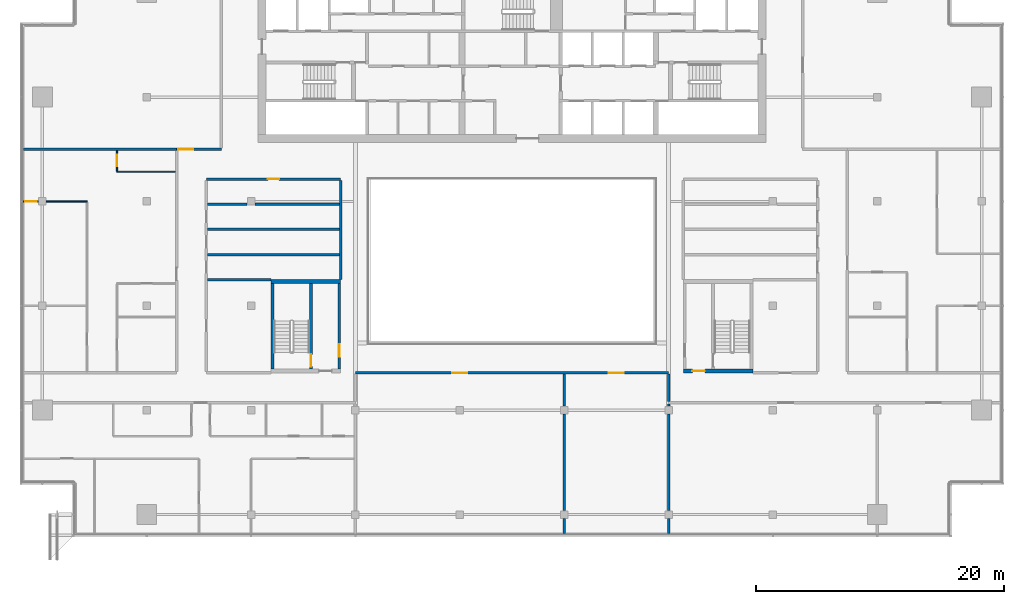
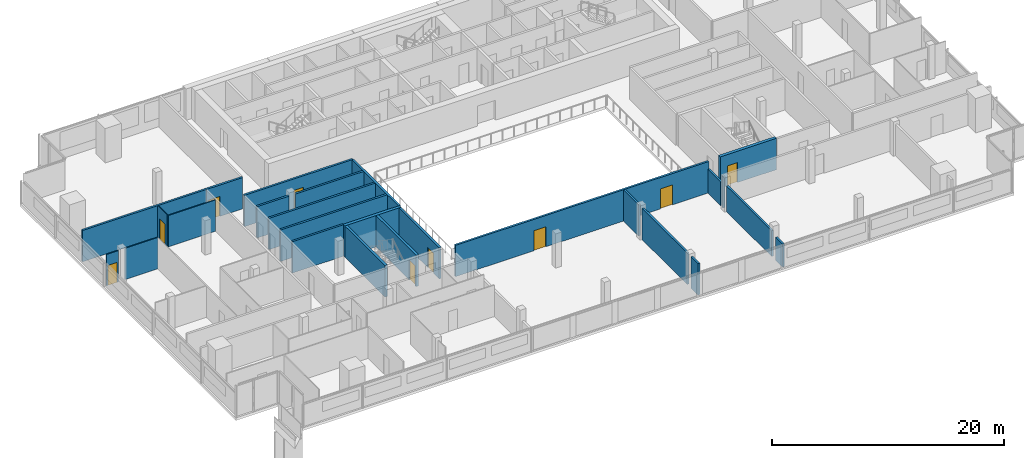
# One storey, part 18 of 25: 26 walls, 9 doors, 9 openings.
"""IFC4 building model written with IfcOpenShell, lengths in metres."""

from ifc_helpers import new_model, si_unit, direction, frame, frame_2d, origin, place, context, subcontext, project, spatial, rectangle, extrude, material, layer, layer_set, type_object, element, fill, save


model = new_model("IFC4")

# Units and contexts
model_context = context("Model", 3, precision=1e-05, world=origin(), true_north=direction((0.0, 1.0)))
body_context = subcontext(model_context, "Body", "Model", "MODEL_VIEW")
ifc_project = project(units=[si_unit("LENGTHUNIT", "METRE"), si_unit("AREAUNIT", "SQUARE_METRE"), si_unit("VOLUMEUNIT", "CUBIC_METRE"), si_unit("PLANEANGLEUNIT", "RADIAN"), si_unit("MASSUNIT", "GRAM", prefix="KILO")], contexts=[model_context])

# Site, building, storey
site_placement = place(None, origin())
site = spatial("IfcSite", under=ifc_project, at=site_placement, CompositionType="ELEMENT")
building_placement = place(site_placement, origin())
building = spatial("IfcBuilding", under=site, at=building_placement, Name="Saffron Gate Tower", CompositionType="ELEMENT")
storey_placement = place(building_placement, frame((0.0, 0.0, 248.699951171875)))
storey = spatial("IfcBuildingStorey", under=building, at=storey_placement, Name="L61", CompositionType="ELEMENT", Elevation=248.699951171875)

# Wall, opening, door
ifc_material_1 = material(Name="Gypsum board partition on steel studs", Category="steel")
ifc_layer_1 = layer(ifc_material_1, 0.199951171875)
ifc_layer_set_1 = layer_set([ifc_layer_1], Name="CW10 Core partition 200")
wall_type_1 = type_object("IfcWallType", Name="CW10 Core partition 200", PredefinedType="PARTITIONING", material=ifc_layer_set_1)
wall_1_placement = place(storey_placement, frame((73.699951171875, 43.5, 0.0), z_axis=(0.0, 0.0, 1.0), x_axis=(0.0, 1.0, 0.0)))
wall_1 = element("IfcWall", 1, at=wall_1_placement, inside=storey, type_object=wall_type_1, Name="Wall CW10-L61-D-4", PredefinedType="PARTITIONING", context=body_context, shape_type="SweptSolid", body=[
    extrude(rectangle(XDim=6.89990234375, YDim=0.199951171875, at=frame_2d((3.449951171875, 0.0))), origin(), (0.0, 0.0, 1.0), 3.300048828125),
])
opening_1_placement = place(wall_1_placement, frame((1.0, 0.0, 0.0)))
opening_1 = element("IfcOpeningElement", 2, at=opening_1_placement, cuts=wall_1, Name="Opening CR-19", PredefinedType="OPENING", context=body_context, shape_type="SweptSolid", body=[
    extrude(rectangle(XDim=1.0, YDim=2.10009765625, at=frame_2d((0.5, 1.050048828125))), frame((0.0, 0.10986328125, 0.0), z_axis=(0.0, -1.0, 0.0), x_axis=(1.0, 0.0, 0.0)), (0.0, 0.0, 1.0), 0.219970703125),
])
ifc_material_2 = material(Name="Steel fire door set", Category="steel")
door_type_1 = type_object("IfcDoorType", Name="CD4 Lobby door 1000x2100 EI 120", OperationType="NOTDEFINED", PredefinedType="DOOR", material=ifc_material_2)
door_1_placement = place(opening_1_placement, origin())
door_1 = element("IfcDoor", 3, at=door_1_placement, inside=storey, type_object=door_type_1, Name="DOOR CR-19", OperationType="SINGLE_SWING_RIGHT", OverallHeight=2.10009765625, OverallWidth=1.0, PredefinedType="DOOR", context=body_context, shape_type="SweptSolid", body=[
    extrude(rectangle(XDim=1.0, YDim=2.10009765625, at=frame_2d((0.5, 1.050048828125))), frame((0.0, 0.02490234375, 0.0), z_axis=(0.0, -1.0, 0.0), x_axis=(1.0, 0.0, 0.0)), (0.0, 0.0, 1.0), 0.050048828125),
])
fill(opening_1, door_1)

# Wall
ifc_material_3 = material(Name="Concrete C60", Category="concrete")
ifc_layer_2 = layer(ifc_material_3, 0.25)
ifc_layer_set_2 = layer_set([ifc_layer_2], Name="CW14 RC core wall 250 C60")
wall_type_2 = type_object("IfcWallType", Name="CW14 RC core wall 250 C60", PredefinedType="SOLIDWALL", material=ifc_layer_set_2)
wall_2_placement = place(storey_placement, frame((68.324951171875, 43.5, 0.0), z_axis=(0.0, 0.0, 1.0), x_axis=(0.0, 1.0, 0.0)))
element("IfcWall", 4, at=wall_2_placement, inside=storey, type_object=wall_type_2, Name="Wall CW14-L61-D-2", PredefinedType="SOLIDWALL", context=body_context, shape_type="SweptSolid", body=[
    extrude(rectangle(XDim=6.89990234375, YDim=0.25, at=frame_2d((3.449951171875, 0.0))), origin(), (0.0, 0.0, 1.0), 3.300048828125),
])

# Wall, opening, door
wall_3_placement = place(storey_placement, frame((71.425048828125, 43.5, 0.0), z_axis=(0.0, 0.0, 1.0), x_axis=(0.0, 1.0, 0.0)))
wall_3 = element("IfcWall", 5, at=wall_3_placement, inside=storey, type_object=wall_type_2, Name="Wall CW14-L61-D-3", PredefinedType="SOLIDWALL", context=body_context, shape_type="SweptSolid", body=[
    extrude(rectangle(XDim=6.89990234375, YDim=0.25, at=frame_2d((3.449951171875, 0.0))), origin(), (0.0, 0.0, 1.0), 3.300048828125),
])
opening_2_placement = place(wall_3_placement, frame((0.199951171875, 0.0, 0.0)))
opening_2 = element("IfcOpeningElement", 6, at=opening_2_placement, cuts=wall_3, Name="Opening CR-20", PredefinedType="OPENING", context=body_context, shape_type="SweptSolid", body=[
    extrude(rectangle(XDim=1.0, YDim=2.10009765625, at=frame_2d((0.5, 1.050048828125))), frame((0.0, 0.135009765625, 0.0), z_axis=(0.0, -1.0, 0.0), x_axis=(1.0, 0.0, 0.0)), (0.0, 0.0, 1.0), 0.27001953125),
])
door_type_2 = type_object("IfcDoorType", Name="CD5 Stair door 1000x2100 EI 120", OperationType="NOTDEFINED", PredefinedType="DOOR", material=ifc_material_2)
door_2_placement = place(opening_2_placement, origin())
door_2 = element("IfcDoor", 7, at=door_2_placement, inside=storey, type_object=door_type_2, Name="DOOR CR-20", OperationType="SINGLE_SWING_LEFT", OverallHeight=2.10009765625, OverallWidth=1.0, PredefinedType="DOOR", context=body_context, shape_type="SweptSolid", body=[
    extrude(rectangle(XDim=1.0, YDim=2.10009765625, at=frame_2d((0.5, 1.050048828125))), frame((0.0, 0.02490234375, 0.0), z_axis=(0.0, -1.0, 0.0), x_axis=(1.0, 0.0, 0.0)), (0.0, 0.0, 1.0), 0.050048828125),
])
fill(opening_2, door_2)

# Wall
ifc_layer_3 = layer(ifc_material_3, 0.300048828125)
ifc_layer_set_3 = layer_set([ifc_layer_3], Name="CW17 RC core wall 300 C60")
wall_type_3 = type_object("IfcWallType", Name="CW17 RC core wall 300 C60", PredefinedType="SOLIDWALL", material=ifc_layer_set_3)
wall_4_placement = place(storey_placement, frame((68.199951171875, 50.550048828125, 0.0), z_axis=(0.0, 0.0, 1.0), x_axis=(1.0, 0.0, 0.0)))
element("IfcWall", 8, at=wall_4_placement, inside=storey, type_object=wall_type_3, Name="Wall CW17-L61-D-5", PredefinedType="SOLIDWALL", context=body_context, shape_type="SweptSolid", body=[
    extrude(rectangle(XDim=5.60009765625, YDim=0.300048828125, at=frame_2d((2.800048828125, 0.0))), origin(), (0.0, 0.0, 1.0), 3.300048828125),
])

# Wall, opening, door
wall_5_placement = place(storey_placement, frame((101.39990234375, 43.35009765625, 0.0), z_axis=(0.0, 0.0, 1.0), x_axis=(1.0, 0.0, 0.0)))
wall_5 = element("IfcWall", 9, at=wall_5_placement, inside=storey, type_object=wall_type_3, Name="Wall CW17-L61-E-1", PredefinedType="SOLIDWALL", context=body_context, shape_type="SweptSolid", body=[
    extrude(rectangle(XDim=5.60009765625, YDim=0.300048828125, at=frame_2d((2.800048828125, 0.0))), origin(), (0.0, 0.0, 1.0), 3.300048828125),
])
opening_3_placement = place(wall_5_placement, frame((0.72509765625, 0.0, 0.0)))
opening_3 = element("IfcOpeningElement", 10, at=opening_3_placement, cuts=wall_5, Name="Opening CR-21", PredefinedType="OPENING", context=body_context, shape_type="SweptSolid", body=[
    extrude(rectangle(XDim=1.0, YDim=2.10009765625, at=frame_2d((0.5, 1.050048828125))), frame((0.0, 0.16015625, 0.0), z_axis=(0.0, -1.0, 0.0), x_axis=(1.0, 0.0, 0.0)), (0.0, 0.0, 1.0), 0.320068359375),
])
door_3_placement = place(opening_3_placement, origin())
door_3 = element("IfcDoor", 11, at=door_3_placement, inside=storey, type_object=door_type_1, Name="DOOR CR-21", OperationType="SINGLE_SWING_RIGHT", OverallHeight=2.10009765625, OverallWidth=1.0, PredefinedType="DOOR", context=body_context, shape_type="SweptSolid", body=[
    extrude(rectangle(XDim=1.0, YDim=2.10009765625, at=frame_2d((0.5, 1.050048828125))), frame((0.0, 0.02490234375, 0.0), z_axis=(0.0, -1.0, 0.0), x_axis=(1.0, 0.0, 0.0)), (0.0, 0.0, 1.0), 0.050048828125),
])
fill(opening_3, door_3)

ifc_material_4 = material(Name="Plasterboard on steel studs", Category="steel")
ifc_layer_4 = layer(ifc_material_4, 0.10009765625)
ifc_layer_set_4 = layer_set([ifc_layer_4], Name="PW1 Partition 100")
wall_type_4 = type_object("IfcWallType", Name="PW1 Partition 100", PredefinedType="PARTITIONING", material=ifc_layer_set_4)
wall_6_placement = place(storey_placement, frame((49.47998046875, 57.0, 0.0), z_axis=(0.0, 0.0, 1.0), x_axis=(-1.0, 0.0, 0.0)))
wall_6 = element("IfcWall", 12, at=wall_6_placement, inside=storey, type_object=wall_type_4, Name="Partition D5-33", PredefinedType="PARTITIONING", context=body_context, shape_type="SweptSolid", body=[
    extrude(rectangle(XDim=1.199951171875, YDim=0.10009765625, at=frame_2d((0.60009765625, 0.0))), origin(), (0.0, 0.0, 1.0), 3.300048828125),
])
opening_4_placement = place(wall_6_placement, frame((0.14990234375, 0.0, 0.0)))
opening_4 = element("IfcOpeningElement", 13, at=opening_4_placement, cuts=wall_6, Name="Opening D5-18", PredefinedType="OPENING", context=body_context, shape_type="SweptSolid", body=[
    extrude(rectangle(XDim=0.89990234375, YDim=2.10009765625, at=frame_2d((0.449951171875, 1.050048828125))), frame((0.0, 0.06005859375, 0.0), z_axis=(0.0, -1.0, 0.0), x_axis=(1.0, 0.0, 0.0)), (0.0, 0.0, 1.0), 0.1201171875),
])
ifc_material_5 = material(Name="Timber door set", Category="wood")
door_type_3 = type_object("IfcDoorType", Name="RD1 Room door 900x2100", OperationType="NOTDEFINED", PredefinedType="DOOR", material=ifc_material_5)
door_4_placement = place(opening_4_placement, origin())
door_4 = element("IfcDoor", 14, at=door_4_placement, inside=storey, type_object=door_type_3, Name="Door D5-18", OperationType="SINGLE_SWING_RIGHT", OverallHeight=2.10009765625, OverallWidth=0.89990234375, PredefinedType="DOOR", context=body_context, shape_type="SweptSolid", body=[
    extrude(rectangle(XDim=0.89990234375, YDim=2.10009765625, at=frame_2d((0.449951171875, 1.050048828125))), frame((0.0, 0.02490234375, 0.0), z_axis=(0.0, -1.0, 0.0), x_axis=(1.0, 0.0, 0.0)), (0.0, 0.0, 1.0), 0.050048828125),
])
fill(opening_4, door_4)

# Walls
wall_7_placement = place(storey_placement, frame((50.1201171875, 57.0, 0.0), z_axis=(0.0, 0.0, 1.0), x_axis=(1.0, 0.0, 0.0)))
element("IfcWall", 15, at=wall_7_placement, inside=storey, type_object=wall_type_4, Name="Partition D5-34", PredefinedType="PARTITIONING", context=body_context, shape_type="SweptSolid", body=[
    extrude(rectangle(XDim=3.27978515625, YDim=0.10009765625, at=frame_2d((1.639892578125, 0.0))), origin(), (0.0, 0.0, 1.0), 3.300048828125),
])
wall_8_placement = place(storey_placement, frame((55.800048828125, 59.39990234375, 0.0), z_axis=(0.0, 0.0, 1.0), x_axis=(1.0, 0.0, 0.0)))
element("IfcWall", 16, at=wall_8_placement, inside=storey, type_object=wall_type_4, Name="Partition D5-37", PredefinedType="PARTITIONING", context=body_context, shape_type="SweptSolid", body=[
    extrude(rectangle(XDim=4.699951171875, YDim=0.10009765625, at=frame_2d((2.35009765625, 0.0))), origin(), (0.0, 0.0, 1.0), 3.300048828125),
])

# Wall, opening, door
wall_9_placement = place(storey_placement, frame((55.800048828125, 61.10009765625, 0.0), z_axis=(0.0, 0.0, 1.0), x_axis=(0.0, -1.0, 0.0)))
wall_9 = element("IfcWall", 17, at=wall_9_placement, inside=storey, type_object=wall_type_4, Name="Partition D5-46", PredefinedType="PARTITIONING", context=body_context, shape_type="SweptSolid", body=[
    extrude(rectangle(XDim=1.650146484375, YDim=0.10009765625, at=frame_2d((0.8251953125, 0.0))), origin(), (0.0, 0.0, 1.0), 3.300048828125),
])
opening_5_placement = place(wall_9_placement, frame((0.35009765625, 0.0, 0.0)))
opening_5 = element("IfcOpeningElement", 18, at=opening_5_placement, cuts=wall_9, Name="Opening D5-19", PredefinedType="OPENING", context=body_context, shape_type="SweptSolid", body=[
    extrude(rectangle(XDim=0.89990234375, YDim=2.10009765625, at=frame_2d((0.449951171875, 1.050048828125))), frame((0.0, 0.06005859375, 0.0), z_axis=(0.0, -1.0, 0.0), x_axis=(1.0, 0.0, 0.0)), (0.0, 0.0, 1.0), 0.1201171875),
])
door_5_placement = place(opening_5_placement, origin())
door_5 = element("IfcDoor", 19, at=door_5_placement, inside=storey, type_object=door_type_3, Name="Door D5-19", OperationType="SINGLE_SWING_LEFT", OverallHeight=2.10009765625, OverallWidth=0.89990234375, PredefinedType="DOOR", context=body_context, shape_type="SweptSolid", body=[
    extrude(rectangle(XDim=0.89990234375, YDim=2.10009765625, at=frame_2d((0.449951171875, 1.050048828125))), frame((0.0, 0.02490234375, 0.0), z_axis=(0.0, -1.0, 0.0), x_axis=(1.0, 0.0, 0.0)), (0.0, 0.0, 1.0), 0.050048828125),
])
fill(opening_5, door_5)

# Walls
ifc_material_6 = material(Name="Clay brick masonry, rendered", Category="masonry")
ifc_layer_5 = layer(ifc_material_6, 0.199951171875)
ifc_layer_set_5 = layer_set([ifc_layer_5], Name="PW2 Demising wall 200")
wall_type_5 = type_object("IfcWallType", Name="PW2 Demising wall 200", PredefinedType="PARTITIONING", material=ifc_layer_set_5)
wall_10_placement = place(storey_placement, frame((63.10009765625, 50.699951171875, 0.0), z_axis=(0.0, 0.0, 1.0), x_axis=(1.0, 0.0, 0.0)))
element("IfcWall", 20, at=wall_10_placement, inside=storey, type_object=wall_type_5, Name="Wall D5-21", PredefinedType="PARTITIONING", context=body_context, shape_type="SweptSolid", body=[
    extrude(rectangle(XDim=5.099853515625, YDim=0.199951171875, at=frame_2d((2.5498046875, 0.0))), origin(), (0.0, 0.0, 1.0), 3.300048828125),
])
for number, where, z_axis, x_axis, name in (
    (21, (63.10009765625, 52.72509765625, 0.0), (0.0, 0.0, 1.0), (1.0, 0.0, 0.0), "Wall D5-24"),
    (22, (63.10009765625, 54.75, 0.0), (0.0, 0.0, 1.0), (1.0, 0.0, 0.0), "Wall D5-27"),
):
    element("IfcWall", number, at=place(storey_placement, frame(where, z_axis=z_axis, x_axis=x_axis)), inside=storey, type_object=wall_type_5, Name=name, PredefinedType="PARTITIONING", context=body_context, shape_type="SweptSolid", body=[
        extrude(rectangle(XDim=10.599853515625, YDim=0.199951171875, at=frame_2d((5.2998046875, 0.0))), origin(), (0.0, 0.0, 1.0), 3.300048828125),
    ])
wall_11_placement = place(storey_placement, frame((63.10009765625, 56.77490234375, 0.0), z_axis=(0.0, 0.0, 1.0), x_axis=(1.0, 0.0, 0.0)))
element("IfcWall", 23, at=wall_11_placement, inside=storey, type_object=wall_type_5, Name="Wall D5-29", PredefinedType="PARTITIONING", context=body_context, shape_type="SweptSolid", body=[
    extrude(rectangle(XDim=3.179931640625, YDim=0.199951171875, at=frame_2d((1.58984375, 0.0))), origin(), (0.0, 0.0, 1.0), 3.300048828125),
])
wall_12_placement = place(storey_placement, frame((66.919921875, 56.77490234375, 0.0), z_axis=(0.0, 0.0, 1.0), x_axis=(1.0, 0.0, 0.0)))
element("IfcWall", 24, at=wall_12_placement, inside=storey, type_object=wall_type_5, Name="Wall D5-30", PredefinedType="PARTITIONING", context=body_context, shape_type="SweptSolid", body=[
    extrude(rectangle(XDim=6.780029296875, YDim=0.199951171875, at=frame_2d((3.39013671875, 0.0))), origin(), (0.0, 0.0, 1.0), 3.300048828125),
])

# Wall, openings, doors
ifc_layer_6 = layer(ifc_material_6, 0.199951171875)
ifc_layer_set_6 = layer_set([ifc_layer_6], Name="PW3 Corridor wall 200")
wall_type_6 = type_object("IfcWallType", Name="PW3 Corridor wall 200", PredefinedType="PARTITIONING", material=ifc_layer_set_6)
wall_13_placement = place(storey_placement, frame((100.199951171875, 43.199951171875, 0.0), z_axis=(0.0, 0.0, 1.0), x_axis=(-1.0, 0.0, 0.0)))
wall_13 = element("IfcWall", 25, at=wall_13_placement, inside=storey, type_object=wall_type_6, Name="Wall D5-11", PredefinedType="PARTITIONING", context=body_context, shape_type="SweptSolid", body=[
    extrude(rectangle(XDim=25.199951171875, YDim=0.199951171875, at=frame_2d((12.60009765625, 0.0))), origin(), (0.0, 0.0, 1.0), 3.300048828125),
])
opening_6_placement = place(wall_13_placement, frame((3.60009765625, 0.0, 0.0)))
opening_6 = element("IfcOpeningElement", 26, at=opening_6_placement, cuts=wall_13, Name="Opening D5-34", PredefinedType="OPENING", context=body_context, shape_type="SweptSolid", body=[
    extrude(rectangle(XDim=1.199951171875, YDim=2.10009765625, at=frame_2d((0.60009765625, 1.050048828125))), frame((0.0, 0.10986328125, 0.0), z_axis=(0.0, -1.0, 0.0), x_axis=(1.0, 0.0, 0.0)), (0.0, 0.0, 1.0), 0.219970703125),
])
opening_7_placement = place(wall_13_placement, frame((16.199951171875, 0.0, 0.0)))
opening_7 = element("IfcOpeningElement", 27, at=opening_7_placement, cuts=wall_13, Name="Opening D5-33", PredefinedType="OPENING", context=body_context, shape_type="SweptSolid", body=[
    extrude(rectangle(XDim=1.199951171875, YDim=2.10009765625, at=frame_2d((0.60009765625, 1.050048828125))), frame((0.0, 0.10986328125, 0.0), z_axis=(0.0, -1.0, 0.0), x_axis=(1.0, 0.0, 0.0)), (0.0, 0.0, 1.0), 0.219970703125),
])
door_type_4 = type_object("IfcDoorType", Name="HD1 Hall door 1200x2100", OperationType="NOTDEFINED", PredefinedType="DOOR", material=ifc_material_5)
door_6_placement = place(opening_6_placement, origin())
door_6 = element("IfcDoor", 28, at=door_6_placement, inside=storey, type_object=door_type_4, Name="Door D5-34", OperationType="SINGLE_SWING_RIGHT", OverallHeight=2.10009765625, OverallWidth=1.199951171875, PredefinedType="DOOR", context=body_context, shape_type="SweptSolid", body=[
    extrude(rectangle(XDim=1.199951171875, YDim=2.10009765625, at=frame_2d((0.60009765625, 1.050048828125))), frame((0.0, 0.02490234375, 0.0), z_axis=(0.0, -1.0, 0.0), x_axis=(1.0, 0.0, 0.0)), (0.0, 0.0, 1.0), 0.050048828125),
])
fill(opening_6, door_6)
door_7_placement = place(opening_7_placement, origin())
door_7 = element("IfcDoor", 29, at=door_7_placement, inside=storey, type_object=door_type_4, Name="Door D5-33", OperationType="SINGLE_SWING_LEFT", OverallHeight=2.10009765625, OverallWidth=1.199951171875, PredefinedType="DOOR", context=body_context, shape_type="SweptSolid", body=[
    extrude(rectangle(XDim=1.199951171875, YDim=2.10009765625, at=frame_2d((0.60009765625, 1.050048828125))), frame((0.0, 0.02490234375, 0.0), z_axis=(0.0, -1.0, 0.0), x_axis=(1.0, 0.0, 0.0)), (0.0, 0.0, 1.0), 0.050048828125),
])
fill(opening_7, door_7)

# Wall, opening, door
wall_14_placement = place(storey_placement, frame((73.800048828125, 58.800048828125, 0.0), z_axis=(0.0, 0.0, 1.0), x_axis=(-1.0, 0.0, 0.0)))
wall_14 = element("IfcWall", 30, at=wall_14_placement, inside=storey, type_object=wall_type_6, Name="Wall D5-35", PredefinedType="PARTITIONING", context=body_context, shape_type="SweptSolid", body=[
    extrude(rectangle(XDim=10.800048828125, YDim=0.199951171875, at=frame_2d((5.39990234375, 0.0))), origin(), (0.0, 0.0, 1.0), 3.300048828125),
])
opening_8_placement = place(wall_14_placement, frame((4.949951171875, 0.0, 0.0)))
opening_8 = element("IfcOpeningElement", 31, at=opening_8_placement, cuts=wall_14, Name="Opening D5-11", PredefinedType="OPENING", context=body_context, shape_type="SweptSolid", body=[
    extrude(rectangle(XDim=0.89990234375, YDim=2.10009765625, at=frame_2d((0.449951171875, 1.050048828125))), frame((0.0, 0.10986328125, 0.0), z_axis=(0.0, -1.0, 0.0), x_axis=(1.0, 0.0, 0.0)), (0.0, 0.0, 1.0), 0.219970703125),
])
door_8_placement = place(opening_8_placement, origin())
door_8 = element("IfcDoor", 32, at=door_8_placement, inside=storey, type_object=door_type_3, Name="Door D5-11", OperationType="SINGLE_SWING_RIGHT", OverallHeight=2.10009765625, OverallWidth=0.89990234375, PredefinedType="DOOR", context=body_context, shape_type="SweptSolid", body=[
    extrude(rectangle(XDim=0.89990234375, YDim=2.10009765625, at=frame_2d((0.449951171875, 1.050048828125))), frame((0.0, 0.02490234375, 0.0), z_axis=(0.0, -1.0, 0.0), x_axis=(1.0, 0.0, 0.0)), (0.0, 0.0, 1.0), 0.050048828125),
])
fill(opening_8, door_8)

wall_15_placement = place(storey_placement, frame((60.60009765625, 61.199951171875, 0.0), z_axis=(0.0, 0.0, 1.0), x_axis=(1.0, 0.0, 0.0)))
wall_15 = element("IfcWall", 33, at=wall_15_placement, inside=storey, type_object=wall_type_6, Name="Wall D5-38", PredefinedType="PARTITIONING", context=body_context, shape_type="SweptSolid", body=[
    extrude(rectangle(XDim=3.599853515625, YDim=0.199951171875, at=frame_2d((1.7998046875, 0.0))), origin(), (0.0, 0.0, 1.0), 3.300048828125),
])
opening_9_placement = place(wall_15_placement, frame((0.14990234375, 0.0, 0.0)))
opening_9 = element("IfcOpeningElement", 34, at=opening_9_placement, cuts=wall_15, Name="Opening D5-35", PredefinedType="OPENING", context=body_context, shape_type="SweptSolid", body=[
    extrude(rectangle(XDim=1.199951171875, YDim=2.10009765625, at=frame_2d((0.60009765625, 1.050048828125))), frame((0.0, 0.10986328125, 0.0), z_axis=(0.0, -1.0, 0.0), x_axis=(1.0, 0.0, 0.0)), (0.0, 0.0, 1.0), 0.219970703125),
])
door_9_placement = place(opening_9_placement, origin())
door_9 = element("IfcDoor", 35, at=door_9_placement, inside=storey, type_object=door_type_4, Name="Door D5-35", OperationType="SINGLE_SWING_LEFT", OverallHeight=2.10009765625, OverallWidth=1.199951171875, PredefinedType="DOOR", context=body_context, shape_type="SweptSolid", body=[
    extrude(rectangle(XDim=1.199951171875, YDim=2.10009765625, at=frame_2d((0.60009765625, 1.050048828125))), frame((0.0, 0.02490234375, 0.0), z_axis=(0.0, -1.0, 0.0), x_axis=(1.0, 0.0, 0.0)), (0.0, 0.0, 1.0), 0.050048828125),
])
fill(opening_9, door_9)

# Walls
wall_16_placement = place(storey_placement, frame((73.800048828125, 58.699951171875, 0.0), z_axis=(0.0, 0.0, 1.0), x_axis=(0.0, -1.0, 0.0)))
element("IfcWall", 36, at=wall_16_placement, inside=storey, type_object=wall_type_6, Name="Wall D5-57", PredefinedType="PARTITIONING", context=body_context, shape_type="SweptSolid", body=[
    extrude(rectangle(XDim=8.0, YDim=0.199951171875, at=frame_2d((4.0, 0.0))), origin(), (0.0, 0.0, 1.0), 3.300048828125),
])
wall_17_placement = place(storey_placement, frame((100.199951171875, 43.10009765625, 0.0), z_axis=(0.0, 0.0, 1.0), x_axis=(0.0, -1.0, 0.0)))
element("IfcWall", 37, at=wall_17_placement, inside=storey, type_object=wall_type_6, Name="Wall D5-65", PredefinedType="PARTITIONING", context=body_context, shape_type="SweptSolid", body=[
    extrude(rectangle(XDim=2.2001953125, YDim=0.199951171875, at=frame_2d((1.10009765625, 0.0))), origin(), (0.0, 0.0, 1.0), 2.510009765625),
])
ifc_layer_7 = layer(ifc_material_6, 0.199951171875)
ifc_layer_set_7 = layer_set([ifc_layer_7], Name="PW5 Room wall 200")
wall_type_7 = type_object("IfcWallType", Name="PW5 Room wall 200", PredefinedType="PARTITIONING", material=ifc_layer_set_7)
wall_18_placement = place(storey_placement, frame((48.280029296875, 61.199951171875, 0.0), z_axis=(0.0, 0.0, 1.0), x_axis=(1.0, 0.0, 0.0)))
element("IfcWall", 38, at=wall_18_placement, inside=storey, type_object=wall_type_7, Name="Wall D5-40", PredefinedType="PARTITIONING", context=body_context, shape_type="SweptSolid", body=[
    extrude(rectangle(XDim=12.320068359375, YDim=0.199951171875, at=frame_2d((6.16015625, 0.0))), origin(), (0.0, 0.0, 1.0), 3.300048828125),
])
wall_19_placement = place(storey_placement, frame((91.800048828125, 31.47998046875, 0.0), z_axis=(0.0, 0.0, 1.0), x_axis=(0.0, -1.0, 0.0)))
element("IfcWall", 39, at=wall_19_placement, inside=storey, type_object=wall_type_7, Name="Wall D5-62", PredefinedType="PARTITIONING", context=body_context, shape_type="SweptSolid", body=[
    extrude(rectangle(XDim=1.199951171875, YDim=0.199951171875, at=frame_2d((0.60009765625, 0.0))), origin(), (0.0, 0.0, 1.0), 3.300048828125),
])
wall_20_placement = place(storey_placement, frame((91.800048828125, 39.8798828125, 0.0), z_axis=(0.0, 0.0, 1.0), x_axis=(0.0, -1.0, 0.0)))
element("IfcWall", 40, at=wall_20_placement, inside=storey, type_object=wall_type_7, Name="Wall D5-63", PredefinedType="PARTITIONING", context=body_context, shape_type="SweptSolid", body=[
    extrude(rectangle(XDim=7.759765625, YDim=0.199951171875, at=frame_2d((3.8798828125, 0.0))), origin(), (0.0, 0.0, 1.0), 3.300048828125),
])
wall_21_placement = place(storey_placement, frame((91.800048828125, 43.10009765625, 0.0), z_axis=(0.0, 0.0, 1.0), x_axis=(0.0, -1.0, 0.0)))
element("IfcWall", 41, at=wall_21_placement, inside=storey, type_object=wall_type_7, Name="Wall D5-64", PredefinedType="PARTITIONING", context=body_context, shape_type="SweptSolid", body=[
    extrude(rectangle(XDim=2.580078125, YDim=0.199951171875, at=frame_2d((1.2900390625, 0.0))), origin(), (0.0, 0.0, 1.0), 3.300048828125),
])
wall_22_placement = place(storey_placement, frame((100.199951171875, 31.47998046875, 0.0), z_axis=(0.0, 0.0, 1.0), x_axis=(0.0, -1.0, 0.0)))
element("IfcWall", 42, at=wall_22_placement, inside=storey, type_object=wall_type_7, Name="Wall D5-66", PredefinedType="PARTITIONING", context=body_context, shape_type="SweptSolid", body=[
    extrude(rectangle(XDim=1.199951171875, YDim=0.199951171875, at=frame_2d((0.60009765625, 0.0))), origin(), (0.0, 0.0, 1.0), 2.41015625),
])
wall_23_placement = place(storey_placement, frame((100.199951171875, 39.8798828125, 0.0), z_axis=(0.0, 0.0, 1.0), x_axis=(0.0, -1.0, 0.0)))
element("IfcWall", 43, at=wall_23_placement, inside=storey, type_object=wall_type_7, Name="Wall D5-67", PredefinedType="PARTITIONING", context=body_context, shape_type="SweptSolid", body=[
    extrude(rectangle(XDim=7.759765625, YDim=0.199951171875, at=frame_2d((3.8798828125, 0.0))), origin(), (0.0, 0.0, 1.0), 2.699951171875),
])
wall_24_placement = place(storey_placement, frame((100.199951171875, 40.699951171875, 0.0), z_axis=(0.0, 0.0, 1.0), x_axis=(0.0, -1.0, 0.0)))
element("IfcWall", 44, at=wall_24_placement, inside=storey, type_object=wall_type_7, Name="Wall D5-68", PredefinedType="PARTITIONING", context=body_context, shape_type="SweptSolid", body=[
    extrude(rectangle(XDim=0.179931640625, YDim=0.199951171875, at=frame_2d((0.08984375, 0.0))), origin(), (0.0, 0.0, 1.0), 3.300048828125),
])

save(model, "model.ifc")
